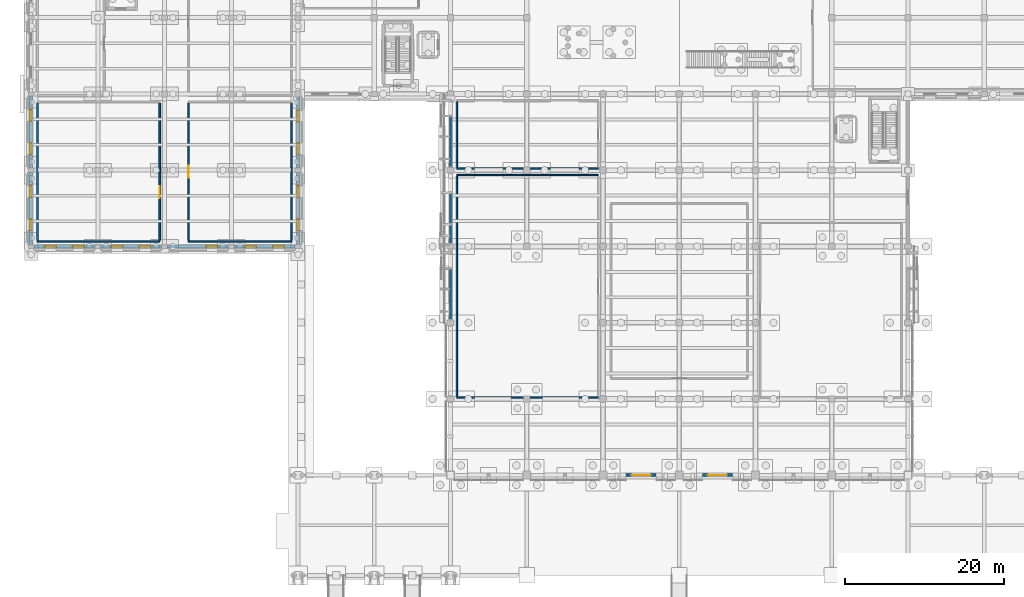
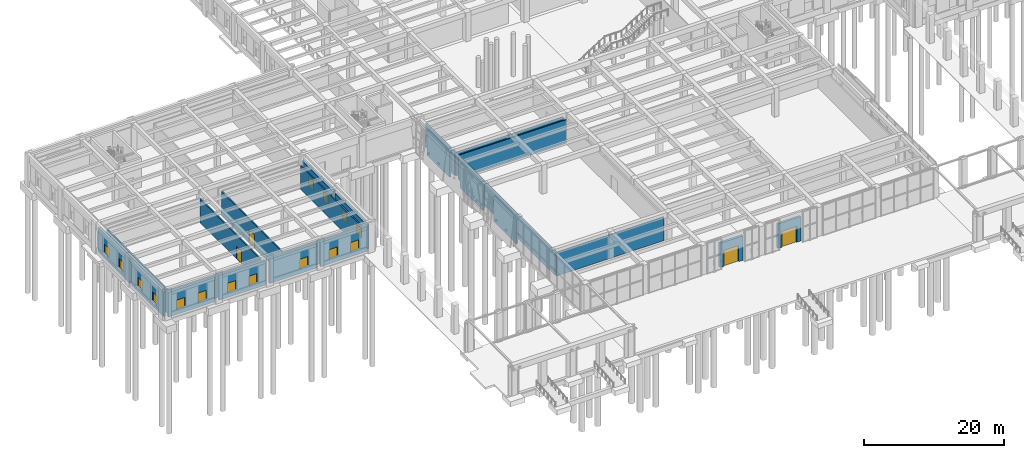
# One storey, part 30 of 51: 24 walls, 15 windows, 4 doors, 19 openings.
"""IFC4 building model written with IfcOpenShell, lengths in metres."""

from ifc_helpers import new_model, si_unit, direction, frame, frame_2d, origin, place, context, subcontext, project, spatial, rectangle, extrude, material, layer, layer_set, type_object, element, fill, save


model = new_model("IFC4")

# Units and contexts
model_context = context("Model", 3, precision=1e-05, world=origin(), true_north=direction((0.0, 1.0)))
body_context = subcontext(model_context, "Body", "Model", "MODEL_VIEW")
ifc_project = project(units=[si_unit("LENGTHUNIT", "METRE"), si_unit("AREAUNIT", "SQUARE_METRE"), si_unit("VOLUMEUNIT", "CUBIC_METRE"), si_unit("PLANEANGLEUNIT", "RADIAN"), si_unit("MASSUNIT", "GRAM", prefix="KILO")], contexts=[model_context])

# Site, building, storey
site_placement = place(None, origin())
site = spatial("IfcSite", under=ifc_project, at=site_placement, CompositionType="ELEMENT")
building_placement = place(site_placement, origin())
building = spatial("IfcBuilding", under=site, at=building_placement, Name="Bempovik Park Faculty of Sciences", CompositionType="ELEMENT")
storey_placement = place(building_placement, origin())
storey = spatial("IfcBuildingStorey", under=building, at=storey_placement, Name="L00", CompositionType="ELEMENT", Elevation=0.0)

# Walls
ifc_material_1 = material(Name="Precast concrete C40/50", Category="concrete")
ifc_layer_1 = layer(ifc_material_1, 0.280029296875)
ifc_layer_set_1 = layer_set([ifc_layer_1], Name="Precast concrete C40/50")
wall_type_1 = type_object("IfcWallType", Name="W-25 Wall 280mm", PredefinedType="SOLIDWALL", material=ifc_layer_set_1)
for number, where, z_axis, x_axis, name in (
    (1, (60.0, 39.326904296875, 0.0), (0.0, 0.0, 1.0), (0.0, 1.0, 0.0), "L00 Crystal Backup Wall EW-CRYS-L00-6289"),
    (2, (60.0, 48.927001953125, 0.0), (0.0, 0.0, 1.0), (0.0, 1.0, 0.0), "L00 Crystal Backup Wall EW-CRYS-L00-6314"),
):
    element("IfcWall", number, at=place(storey_placement, frame(where, z_axis=z_axis, x_axis=x_axis)), inside=storey, type_object=wall_type_1, Name=name, PredefinedType="SOLIDWALL", context=body_context, shape_type="SweptSolid", body=[
        extrude(rectangle(XDim=6.5419921875, YDim=0.280029296875, at=frame_2d((3.27099609375, 0.0))), origin(), (0.0, 0.0, 1.0), 4.280029296875),
    ])
wall_1_placement = place(storey_placement, frame((60.0, 58.527099609375, 0.0), z_axis=(0.0, 0.0, 1.0), x_axis=(0.0, 1.0, 0.0)))
element("IfcWall", 3, at=wall_1_placement, inside=storey, type_object=wall_type_1, Name="L00 Crystal Backup Wall EW-CRYS-L00-6339", PredefinedType="SOLIDWALL", context=body_context, shape_type="SweptSolid", body=[
    extrude(rectangle(XDim=6.466796875, YDim=0.280029296875, at=frame_2d((3.2333984375, 0.0))), origin(), (0.0, 0.0, 1.0), 4.280029296875),
])

# Wall, openings, windows
ifc_layer_2 = layer(ifc_material_1, 0.3798828125)
ifc_layer_set_2 = layer_set([ifc_layer_2], Name="Precast concrete C40/50")
wall_type_2 = type_object("IfcWallType", Name="W-27 Wall 380mm", PredefinedType="SOLIDWALL", material=ifc_layer_set_2)
wall_2_placement = place(storey_placement, frame((40.800048828125, 48.8720703125, 0.0), z_axis=(0.0, 0.0, 1.0), x_axis=(0.0, 1.0, 0.0)))
wall_2 = element("IfcWall", 4, at=wall_2_placement, inside=storey, type_object=wall_type_2, Name="L00 Classical Precast Facade Wall EW-L00-5666", PredefinedType="SOLIDWALL", context=body_context, shape_type="SweptSolid", body=[
    extrude(rectangle(XDim=9.055908203125, YDim=0.3798828125, at=frame_2d((4.52783203125, 0.0))), origin(), (0.0, 0.0, 1.0), 4.280029296875),
])
opening_1_placement = place(wall_2_placement, frame((1.7451171875, 0.0, 0.85009765625)))
opening_1 = element("IfcOpeningElement", 5, at=opening_1_placement, cuts=wall_2, Name="Opening WN-84", PredefinedType="OPENING", context=body_context, shape_type="SweptSolid", body=[
    extrude(rectangle(XDim=1.39990234375, YDim=1.64990234375, at=frame_2d((0.699951171875, 0.824951171875))), frame((0.0, 0.199951171875, 0.0), z_axis=(0.0, -1.0, 0.0), x_axis=(1.0, 0.0, 0.0)), (0.0, 0.0, 1.0), 0.39990234375),
])
opening_2_placement = place(wall_2_placement, frame((5.910888671875, 0.0, 0.85009765625)))
opening_2 = element("IfcOpeningElement", 6, at=opening_2_placement, cuts=wall_2, Name="Opening WN-84", PredefinedType="OPENING", context=body_context, shape_type="SweptSolid", body=[
    extrude(rectangle(XDim=1.39990234375, YDim=1.64990234375, at=frame_2d((0.699951171875, 0.824951171875))), frame((0.0, 0.199951171875, 0.0), z_axis=(0.0, -1.0, 0.0), x_axis=(1.0, 0.0, 0.0)), (0.0, 0.0, 1.0), 0.39990234375),
])
ifc_material_2 = material(Name="Tempered laminated low-E glass", Category="glass")
window_type = type_object("IfcWindowType", Name="WN-84 Window 1400x1650", PartitioningType="SINGLE_PANEL", PredefinedType="WINDOW", material=ifc_material_2)
window_1_placement = place(opening_1_placement, origin())
window_1 = element("IfcWindow", 7, at=window_1_placement, inside=storey, type_object=window_type, Name="L00 Window EW-L00-5666-1", OverallHeight=1.64990234375, OverallWidth=1.39990234375, PartitioningType="SINGLE_PANEL", PredefinedType="WINDOW", context=body_context, shape_type="SweptSolid", body=[
    extrude(rectangle(XDim=1.39990234375, YDim=1.64990234375, at=frame_2d((0.699951171875, 0.824951171875))), frame((0.0, 0.030029296875, 0.0), z_axis=(0.0, -1.0, 0.0), x_axis=(1.0, 0.0, 0.0)), (0.0, 0.0, 1.0), 0.06005859375),
])
fill(opening_1, window_1)
window_2_placement = place(opening_2_placement, origin())
window_2 = element("IfcWindow", 8, at=window_2_placement, inside=storey, type_object=window_type, Name="L00 Window EW-L00-5666-2", OverallHeight=1.64990234375, OverallWidth=1.39990234375, PartitioningType="SINGLE_PANEL", PredefinedType="WINDOW", context=body_context, shape_type="SweptSolid", body=[
    extrude(rectangle(XDim=1.39990234375, YDim=1.64990234375, at=frame_2d((0.699951171875, 0.824951171875))), frame((0.0, 0.030029296875, 0.0), z_axis=(0.0, -1.0, 0.0), x_axis=(1.0, 0.0, 0.0)), (0.0, 0.0, 1.0), 0.06005859375),
])
fill(opening_2, window_2)

wall_3_placement = place(storey_placement, frame((40.800048828125, 58.471923828125, 0.0), z_axis=(0.0, 0.0, 1.0), x_axis=(0.0, 1.0, 0.0)))
wall_3 = element("IfcWall", 9, at=wall_3_placement, inside=storey, type_object=wall_type_2, Name="L00 Classical Precast Facade Wall EW-L00-5677", PredefinedType="SOLIDWALL", context=body_context, shape_type="SweptSolid", body=[
    extrude(rectangle(XDim=8.966064453125, YDim=0.3798828125, at=frame_2d((4.48291015625, 0.0))), origin(), (0.0, 0.0, 1.0), 4.280029296875),
])
opening_3_placement = place(wall_3_placement, frame((1.720703125, 0.0, 0.85009765625)))
opening_3 = element("IfcOpeningElement", 10, at=opening_3_placement, cuts=wall_3, Name="Opening WN-84", PredefinedType="OPENING", context=body_context, shape_type="SweptSolid", body=[
    extrude(rectangle(XDim=1.39990234375, YDim=1.64990234375, at=frame_2d((0.699951171875, 0.824951171875))), frame((0.0, 0.199951171875, 0.0), z_axis=(0.0, -1.0, 0.0), x_axis=(1.0, 0.0, 0.0)), (0.0, 0.0, 1.0), 0.39990234375),
])
opening_4_placement = place(wall_3_placement, frame((5.84521484375, 0.0, 0.85009765625)))
opening_4 = element("IfcOpeningElement", 11, at=opening_4_placement, cuts=wall_3, Name="Opening WN-84", PredefinedType="OPENING", context=body_context, shape_type="SweptSolid", body=[
    extrude(rectangle(XDim=1.39990234375, YDim=1.64990234375, at=frame_2d((0.699951171875, 0.824951171875))), frame((0.0, 0.199951171875, 0.0), z_axis=(0.0, -1.0, 0.0), x_axis=(1.0, 0.0, 0.0)), (0.0, 0.0, 1.0), 0.39990234375),
])
window_3_placement = place(opening_3_placement, origin())
window_3 = element("IfcWindow", 12, at=window_3_placement, inside=storey, type_object=window_type, Name="L00 Window EW-L00-5677-1", OverallHeight=1.64990234375, OverallWidth=1.39990234375, PartitioningType="SINGLE_PANEL", PredefinedType="WINDOW", context=body_context, shape_type="SweptSolid", body=[
    extrude(rectangle(XDim=1.39990234375, YDim=1.64990234375, at=frame_2d((0.699951171875, 0.824951171875))), frame((0.0, 0.030029296875, 0.0), z_axis=(0.0, -1.0, 0.0), x_axis=(1.0, 0.0, 0.0)), (0.0, 0.0, 1.0), 0.06005859375),
])
fill(opening_3, window_3)
window_4_placement = place(opening_4_placement, origin())
window_4 = element("IfcWindow", 13, at=window_4_placement, inside=storey, type_object=window_type, Name="L00 Window EW-L00-5677-2", OverallHeight=1.64990234375, OverallWidth=1.39990234375, PartitioningType="SINGLE_PANEL", PredefinedType="WINDOW", context=body_context, shape_type="SweptSolid", body=[
    extrude(rectangle(XDim=1.39990234375, YDim=1.64990234375, at=frame_2d((0.699951171875, 0.824951171875))), frame((0.0, 0.030029296875, 0.0), z_axis=(0.0, -1.0, 0.0), x_axis=(1.0, 0.0, 0.0)), (0.0, 0.0, 1.0), 0.06005859375),
])
fill(opening_4, window_4)

wall_4_placement = place(storey_placement, frame((7.56201171875, 48.60009765625, 0.0), z_axis=(0.0, 0.0, 1.0), x_axis=(1.0, 0.0, 0.0)))
wall_4 = element("IfcWall", 14, at=wall_4_placement, inside=storey, type_object=wall_type_2, Name="L00 Classical Precast Facade Wall EW-L00-5687", PredefinedType="SOLIDWALL", context=body_context, shape_type="SweptSolid", body=[
    extrude(rectangle(XDim=7.676025390625, YDim=0.3798828125, at=frame_2d((3.837890625, 0.0))), origin(), (0.0, 0.0, 1.0), 4.280029296875),
])
opening_5_placement = place(wall_4_placement, frame((1.37255859375, 0.0, 0.85009765625)))
opening_5 = element("IfcOpeningElement", 15, at=opening_5_placement, cuts=wall_4, Name="Opening WN-84", PredefinedType="OPENING", context=body_context, shape_type="SweptSolid", body=[
    extrude(rectangle(XDim=1.39990234375, YDim=1.64990234375, at=frame_2d((0.699951171875, 0.824951171875))), frame((0.0, 0.199951171875, 0.0), z_axis=(0.0, -1.0, 0.0), x_axis=(1.0, 0.0, 0.0)), (0.0, 0.0, 1.0), 0.39990234375),
])
opening_6_placement = place(wall_4_placement, frame((4.903564453125, 0.0, 0.85009765625)))
opening_6 = element("IfcOpeningElement", 16, at=opening_6_placement, cuts=wall_4, Name="Opening WN-84", PredefinedType="OPENING", context=body_context, shape_type="SweptSolid", body=[
    extrude(rectangle(XDim=1.39990234375, YDim=1.64990234375, at=frame_2d((0.699951171875, 0.824951171875))), frame((0.0, 0.199951171875, 0.0), z_axis=(0.0, -1.0, 0.0), x_axis=(1.0, 0.0, 0.0)), (0.0, 0.0, 1.0), 0.39990234375),
])
window_5_placement = place(opening_5_placement, origin())
window_5 = element("IfcWindow", 17, at=window_5_placement, inside=storey, type_object=window_type, Name="L00 Window EW-L00-5687-1", OverallHeight=1.64990234375, OverallWidth=1.39990234375, PartitioningType="SINGLE_PANEL", PredefinedType="WINDOW", context=body_context, shape_type="SweptSolid", body=[
    extrude(rectangle(XDim=1.39990234375, YDim=1.64990234375, at=frame_2d((0.699951171875, 0.824951171875))), frame((0.0, 0.030029296875, 0.0), z_axis=(0.0, -1.0, 0.0), x_axis=(1.0, 0.0, 0.0)), (0.0, 0.0, 1.0), 0.06005859375),
])
fill(opening_5, window_5)
window_6_placement = place(opening_6_placement, origin())
window_6 = element("IfcWindow", 18, at=window_6_placement, inside=storey, type_object=window_type, Name="L00 Window EW-L00-5687-2", OverallHeight=1.64990234375, OverallWidth=1.39990234375, PartitioningType="SINGLE_PANEL", PredefinedType="WINDOW", context=body_context, shape_type="SweptSolid", body=[
    extrude(rectangle(XDim=1.39990234375, YDim=1.64990234375, at=frame_2d((0.699951171875, 0.824951171875))), frame((0.0, 0.030029296875, 0.0), z_axis=(0.0, -1.0, 0.0), x_axis=(1.0, 0.0, 0.0)), (0.0, 0.0, 1.0), 0.06005859375),
])
fill(opening_6, window_6)

wall_5_placement = place(storey_placement, frame((15.9619140625, 48.60009765625, 0.0), z_axis=(0.0, 0.0, 1.0), x_axis=(1.0, 0.0, 0.0)))
wall_5 = element("IfcWall", 19, at=wall_5_placement, inside=storey, type_object=wall_type_2, Name="L00 Classical Precast Facade Wall EW-L00-5698", PredefinedType="SOLIDWALL", context=body_context, shape_type="SweptSolid", body=[
    extrude(rectangle(XDim=7.676025390625, YDim=0.3798828125, at=frame_2d((3.837890625, 0.0))), origin(), (0.0, 0.0, 1.0), 4.280029296875),
])
opening_7_placement = place(wall_5_placement, frame((1.37255859375, 0.0, 0.85009765625)))
opening_7 = element("IfcOpeningElement", 20, at=opening_7_placement, cuts=wall_5, Name="Opening WN-84", PredefinedType="OPENING", context=body_context, shape_type="SweptSolid", body=[
    extrude(rectangle(XDim=1.39990234375, YDim=1.64990234375, at=frame_2d((0.699951171875, 0.824951171875))), frame((0.0, 0.199951171875, 0.0), z_axis=(0.0, -1.0, 0.0), x_axis=(1.0, 0.0, 0.0)), (0.0, 0.0, 1.0), 0.39990234375),
])
opening_8_placement = place(wall_5_placement, frame((4.903564453125, 0.0, 0.85009765625)))
opening_8 = element("IfcOpeningElement", 21, at=opening_8_placement, cuts=wall_5, Name="Opening WN-84", PredefinedType="OPENING", context=body_context, shape_type="SweptSolid", body=[
    extrude(rectangle(XDim=1.39990234375, YDim=1.64990234375, at=frame_2d((0.699951171875, 0.824951171875))), frame((0.0, 0.199951171875, 0.0), z_axis=(0.0, -1.0, 0.0), x_axis=(1.0, 0.0, 0.0)), (0.0, 0.0, 1.0), 0.39990234375),
])
window_7_placement = place(opening_7_placement, origin())
window_7 = element("IfcWindow", 22, at=window_7_placement, inside=storey, type_object=window_type, Name="L00 Window EW-L00-5698-1", OverallHeight=1.64990234375, OverallWidth=1.39990234375, PartitioningType="SINGLE_PANEL", PredefinedType="WINDOW", context=body_context, shape_type="SweptSolid", body=[
    extrude(rectangle(XDim=1.39990234375, YDim=1.64990234375, at=frame_2d((0.699951171875, 0.824951171875))), frame((0.0, 0.030029296875, 0.0), z_axis=(0.0, -1.0, 0.0), x_axis=(1.0, 0.0, 0.0)), (0.0, 0.0, 1.0), 0.06005859375),
])
fill(opening_7, window_7)
window_8_placement = place(opening_8_placement, origin())
window_8 = element("IfcWindow", 23, at=window_8_placement, inside=storey, type_object=window_type, Name="L00 Window EW-L00-5698-2", OverallHeight=1.64990234375, OverallWidth=1.39990234375, PartitioningType="SINGLE_PANEL", PredefinedType="WINDOW", context=body_context, shape_type="SweptSolid", body=[
    extrude(rectangle(XDim=1.39990234375, YDim=1.64990234375, at=frame_2d((0.699951171875, 0.824951171875))), frame((0.0, 0.030029296875, 0.0), z_axis=(0.0, -1.0, 0.0), x_axis=(1.0, 0.0, 0.0)), (0.0, 0.0, 1.0), 0.06005859375),
])
fill(opening_8, window_8)

# Wall, opening, window
wall_6_placement = place(storey_placement, frame((24.362060546875, 48.60009765625, 0.0), z_axis=(0.0, 0.0, 1.0), x_axis=(1.0, 0.0, 0.0)))
wall_6 = element("IfcWall", 24, at=wall_6_placement, inside=storey, type_object=wall_type_2, Name="L00 Classical Precast Facade Wall EW-L00-5708", PredefinedType="SOLIDWALL", context=body_context, shape_type="SweptSolid", body=[
    extrude(rectangle(XDim=7.676025390625, YDim=0.3798828125, at=frame_2d((3.837890625, 0.0))), origin(), (0.0, 0.0, 1.0), 4.280029296875),
])
opening_9_placement = place(wall_6_placement, frame((4.903564453125, 0.0, 0.85009765625)))
opening_9 = element("IfcOpeningElement", 25, at=opening_9_placement, cuts=wall_6, Name="Opening WN-84", PredefinedType="OPENING", context=body_context, shape_type="SweptSolid", body=[
    extrude(rectangle(XDim=1.39990234375, YDim=1.64990234375, at=frame_2d((0.699951171875, 0.824951171875))), frame((0.0, 0.199951171875, 0.0), z_axis=(0.0, -1.0, 0.0), x_axis=(1.0, 0.0, 0.0)), (0.0, 0.0, 1.0), 0.39990234375),
])
window_9_placement = place(opening_9_placement, origin())
window_9 = element("IfcWindow", 26, at=window_9_placement, inside=storey, type_object=window_type, Name="L00 Window EW-L00-5708-2", OverallHeight=1.64990234375, OverallWidth=1.39990234375, PartitioningType="SINGLE_PANEL", PredefinedType="WINDOW", context=body_context, shape_type="SweptSolid", body=[
    extrude(rectangle(XDim=1.39990234375, YDim=1.64990234375, at=frame_2d((0.699951171875, 0.824951171875))), frame((0.0, 0.030029296875, 0.0), z_axis=(0.0, -1.0, 0.0), x_axis=(1.0, 0.0, 0.0)), (0.0, 0.0, 1.0), 0.06005859375),
])
fill(opening_9, window_9)

# Wall, openings, windows
wall_7_placement = place(storey_placement, frame((32.761962890625, 48.60009765625, 0.0), z_axis=(0.0, 0.0, 1.0), x_axis=(1.0, 0.0, 0.0)))
wall_7 = element("IfcWall", 27, at=wall_7_placement, inside=storey, type_object=wall_type_2, Name="L00 Classical Precast Facade Wall EW-L00-5716", PredefinedType="SOLIDWALL", context=body_context, shape_type="SweptSolid", body=[
    extrude(rectangle(XDim=7.676025390625, YDim=0.3798828125, at=frame_2d((3.837890625, 0.0))), origin(), (0.0, 0.0, 1.0), 4.280029296875),
])
opening_10_placement = place(wall_7_placement, frame((1.37255859375, 0.0, 0.85009765625)))
opening_10 = element("IfcOpeningElement", 28, at=opening_10_placement, cuts=wall_7, Name="Opening WN-84", PredefinedType="OPENING", context=body_context, shape_type="SweptSolid", body=[
    extrude(rectangle(XDim=1.39990234375, YDim=1.64990234375, at=frame_2d((0.699951171875, 0.824951171875))), frame((0.0, 0.199951171875, 0.0), z_axis=(0.0, -1.0, 0.0), x_axis=(1.0, 0.0, 0.0)), (0.0, 0.0, 1.0), 0.39990234375),
])
opening_11_placement = place(wall_7_placement, frame((4.903564453125, 0.0, 0.85009765625)))
opening_11 = element("IfcOpeningElement", 29, at=opening_11_placement, cuts=wall_7, Name="Opening WN-84", PredefinedType="OPENING", context=body_context, shape_type="SweptSolid", body=[
    extrude(rectangle(XDim=1.39990234375, YDim=1.64990234375, at=frame_2d((0.699951171875, 0.824951171875))), frame((0.0, 0.199951171875, 0.0), z_axis=(0.0, -1.0, 0.0), x_axis=(1.0, 0.0, 0.0)), (0.0, 0.0, 1.0), 0.39990234375),
])
window_10_placement = place(opening_10_placement, origin())
window_10 = element("IfcWindow", 30, at=window_10_placement, inside=storey, type_object=window_type, Name="L00 Window EW-L00-5716-1", OverallHeight=1.64990234375, OverallWidth=1.39990234375, PartitioningType="SINGLE_PANEL", PredefinedType="WINDOW", context=body_context, shape_type="SweptSolid", body=[
    extrude(rectangle(XDim=1.39990234375, YDim=1.64990234375, at=frame_2d((0.699951171875, 0.824951171875))), frame((0.0, 0.030029296875, 0.0), z_axis=(0.0, -1.0, 0.0), x_axis=(1.0, 0.0, 0.0)), (0.0, 0.0, 1.0), 0.06005859375),
])
fill(opening_10, window_10)
window_11_placement = place(opening_11_placement, origin())
window_11 = element("IfcWindow", 31, at=window_11_placement, inside=storey, type_object=window_type, Name="L00 Window EW-L00-5716-2", OverallHeight=1.64990234375, OverallWidth=1.39990234375, PartitioningType="SINGLE_PANEL", PredefinedType="WINDOW", context=body_context, shape_type="SweptSolid", body=[
    extrude(rectangle(XDim=1.39990234375, YDim=1.64990234375, at=frame_2d((0.699951171875, 0.824951171875))), frame((0.0, 0.030029296875, 0.0), z_axis=(0.0, -1.0, 0.0), x_axis=(1.0, 0.0, 0.0)), (0.0, 0.0, 1.0), 0.06005859375),
])
fill(opening_11, window_11)

wall_8_placement = place(storey_placement, frame((7.199951171875, 48.8720703125, 0.0), z_axis=(0.0, 0.0, 1.0), x_axis=(0.0, 1.0, 0.0)))
wall_8 = element("IfcWall", 32, at=wall_8_placement, inside=storey, type_object=wall_type_2, Name="L00 Classical Precast Facade Wall EW-L00-5726", PredefinedType="SOLIDWALL", context=body_context, shape_type="SweptSolid", body=[
    extrude(rectangle(XDim=9.055908203125, YDim=0.3798828125, at=frame_2d((4.52783203125, 0.0))), origin(), (0.0, 0.0, 1.0), 4.280029296875),
])
opening_12_placement = place(wall_8_placement, frame((1.7451171875, 0.0, 0.85009765625)))
opening_12 = element("IfcOpeningElement", 33, at=opening_12_placement, cuts=wall_8, Name="Opening WN-84", PredefinedType="OPENING", context=body_context, shape_type="SweptSolid", body=[
    extrude(rectangle(XDim=1.39990234375, YDim=1.64990234375, at=frame_2d((0.699951171875, 0.824951171875))), frame((0.0, 0.199951171875, 0.0), z_axis=(0.0, -1.0, 0.0), x_axis=(1.0, 0.0, 0.0)), (0.0, 0.0, 1.0), 0.39990234375),
])
opening_13_placement = place(wall_8_placement, frame((5.910888671875, 0.0, 0.85009765625)))
opening_13 = element("IfcOpeningElement", 34, at=opening_13_placement, cuts=wall_8, Name="Opening WN-84", PredefinedType="OPENING", context=body_context, shape_type="SweptSolid", body=[
    extrude(rectangle(XDim=1.39990234375, YDim=1.64990234375, at=frame_2d((0.699951171875, 0.824951171875))), frame((0.0, 0.199951171875, 0.0), z_axis=(0.0, -1.0, 0.0), x_axis=(1.0, 0.0, 0.0)), (0.0, 0.0, 1.0), 0.39990234375),
])
window_12_placement = place(opening_12_placement, origin())
window_12 = element("IfcWindow", 35, at=window_12_placement, inside=storey, type_object=window_type, Name="L00 Window EW-L00-5726-1", OverallHeight=1.64990234375, OverallWidth=1.39990234375, PartitioningType="SINGLE_PANEL", PredefinedType="WINDOW", context=body_context, shape_type="SweptSolid", body=[
    extrude(rectangle(XDim=1.39990234375, YDim=1.64990234375, at=frame_2d((0.699951171875, 0.824951171875))), frame((0.0, 0.030029296875, 0.0), z_axis=(0.0, -1.0, 0.0), x_axis=(1.0, 0.0, 0.0)), (0.0, 0.0, 1.0), 0.06005859375),
])
fill(opening_12, window_12)
window_13_placement = place(opening_13_placement, origin())
window_13 = element("IfcWindow", 36, at=window_13_placement, inside=storey, type_object=window_type, Name="L00 Window EW-L00-5726-2", OverallHeight=1.64990234375, OverallWidth=1.39990234375, PartitioningType="SINGLE_PANEL", PredefinedType="WINDOW", context=body_context, shape_type="SweptSolid", body=[
    extrude(rectangle(XDim=1.39990234375, YDim=1.64990234375, at=frame_2d((0.699951171875, 0.824951171875))), frame((0.0, 0.030029296875, 0.0), z_axis=(0.0, -1.0, 0.0), x_axis=(1.0, 0.0, 0.0)), (0.0, 0.0, 1.0), 0.06005859375),
])
fill(opening_13, window_13)

wall_9_placement = place(storey_placement, frame((7.199951171875, 58.471923828125, 0.0), z_axis=(0.0, 0.0, 1.0), x_axis=(0.0, 1.0, 0.0)))
wall_9 = element("IfcWall", 37, at=wall_9_placement, inside=storey, type_object=wall_type_2, Name="L00 Classical Precast Facade Wall EW-L00-5737", PredefinedType="SOLIDWALL", context=body_context, shape_type="SweptSolid", body=[
    extrude(rectangle(XDim=9.05615234375, YDim=0.3798828125, at=frame_2d((4.528076171875, 0.0))), origin(), (0.0, 0.0, 1.0), 4.280029296875),
])
opening_14_placement = place(wall_9_placement, frame((1.7451171875, 0.0, 0.85009765625)))
opening_14 = element("IfcOpeningElement", 38, at=opening_14_placement, cuts=wall_9, Name="Opening WN-84", PredefinedType="OPENING", context=body_context, shape_type="SweptSolid", body=[
    extrude(rectangle(XDim=1.39990234375, YDim=1.64990234375, at=frame_2d((0.699951171875, 0.824951171875))), frame((0.0, 0.199951171875, 0.0), z_axis=(0.0, -1.0, 0.0), x_axis=(1.0, 0.0, 0.0)), (0.0, 0.0, 1.0), 0.39990234375),
])
opening_15_placement = place(wall_9_placement, frame((5.910888671875, 0.0, 0.85009765625)))
opening_15 = element("IfcOpeningElement", 39, at=opening_15_placement, cuts=wall_9, Name="Opening WN-84", PredefinedType="OPENING", context=body_context, shape_type="SweptSolid", body=[
    extrude(rectangle(XDim=1.39990234375, YDim=1.64990234375, at=frame_2d((0.699951171875, 0.824951171875))), frame((0.0, 0.199951171875, 0.0), z_axis=(0.0, -1.0, 0.0), x_axis=(1.0, 0.0, 0.0)), (0.0, 0.0, 1.0), 0.39990234375),
])
window_14_placement = place(opening_14_placement, origin())
window_14 = element("IfcWindow", 40, at=window_14_placement, inside=storey, type_object=window_type, Name="L00 Window EW-L00-5737-1", OverallHeight=1.64990234375, OverallWidth=1.39990234375, PartitioningType="SINGLE_PANEL", PredefinedType="WINDOW", context=body_context, shape_type="SweptSolid", body=[
    extrude(rectangle(XDim=1.39990234375, YDim=1.64990234375, at=frame_2d((0.699951171875, 0.824951171875))), frame((0.0, 0.030029296875, 0.0), z_axis=(0.0, -1.0, 0.0), x_axis=(1.0, 0.0, 0.0)), (0.0, 0.0, 1.0), 0.06005859375),
])
fill(opening_14, window_14)
window_15_placement = place(opening_15_placement, origin())
window_15 = element("IfcWindow", 41, at=window_15_placement, inside=storey, type_object=window_type, Name="L00 Window EW-L00-5737-2", OverallHeight=1.64990234375, OverallWidth=1.39990234375, PartitioningType="SINGLE_PANEL", PredefinedType="WINDOW", context=body_context, shape_type="SweptSolid", body=[
    extrude(rectangle(XDim=1.39990234375, YDim=1.64990234375, at=frame_2d((0.699951171875, 0.824951171875))), frame((0.0, 0.030029296875, 0.0), z_axis=(0.0, -1.0, 0.0), x_axis=(1.0, 0.0, 0.0)), (0.0, 0.0, 1.0), 0.06005859375),
])
fill(opening_15, window_15)

# Wall, opening, door
wall_10_placement = place(storey_placement, frame((82.10009765625, 19.800048828125, 0.0), z_axis=(0.0, 0.0, 1.0), x_axis=(1.0, 0.0, 0.0)))
wall_10 = element("IfcWall", 42, at=wall_10_placement, inside=storey, type_object=wall_type_2, Name="Grand Entrance Portal Wall EW-L00-6165", PredefinedType="SOLIDWALL", context=body_context, shape_type="SweptSolid", body=[
    extrude(rectangle(XDim=3.7998046875, YDim=0.3798828125, at=frame_2d((1.89990234375, 0.0))), origin(), (0.0, 0.0, 1.0), 4.280029296875),
])
opening_16_placement = place(wall_10_placement, frame((0.699951171875, 0.0, 0.0)))
opening_16 = element("IfcOpeningElement", 43, at=opening_16_placement, cuts=wall_10, Name="Opening D-13", PredefinedType="OPENING", context=body_context, shape_type="SweptSolid", body=[
    extrude(rectangle(XDim=2.39990234375, YDim=2.800048828125, at=frame_2d((1.199951171875, 1.39990234375))), frame((0.0, 0.199951171875, 0.0), z_axis=(0.0, -1.0, 0.0), x_axis=(1.0, 0.0, 0.0)), (0.0, 0.0, 1.0), 0.39990234375),
])
ifc_material_3 = material(Name="Anodised architectural bronze")
door_type_1 = type_object("IfcDoorType", Name="D-13 Door 2400x2800", OperationType="NOTDEFINED", PredefinedType="DOOR", material=ifc_material_3)
door_1_placement = place(opening_16_placement, frame((2.39990234375, 0.0, 0.0), z_axis=(0.0, 0.0, 1.0), x_axis=(-1.0, 0.0, 0.0)))
door_1 = element("IfcDoor", 44, at=door_1_placement, inside=storey, type_object=door_type_1, Name="Grand Park Entrance Door West", OperationType="DOUBLE_DOOR_SINGLE_SWING", OverallHeight=2.800048828125, OverallWidth=2.39990234375, PredefinedType="DOOR", context=body_context, shape_type="SweptSolid", body=[
    extrude(rectangle(XDim=2.39990234375, YDim=2.800048828125, at=frame_2d((1.199951171875, 1.39990234375))), frame((0.0, 0.02490234375, 0.0), z_axis=(0.0, -1.0, 0.0), x_axis=(1.0, 0.0, 0.0)), (0.0, 0.0, 1.0), 0.050048828125),
])
fill(opening_16, door_1)

wall_11_placement = place(storey_placement, frame((91.699951171875, 19.800048828125, 0.0), z_axis=(0.0, 0.0, 1.0), x_axis=(1.0, 0.0, 0.0)))
wall_11 = element("IfcWall", 45, at=wall_11_placement, inside=storey, type_object=wall_type_2, Name="Grand Entrance Portal Wall EW-L00-6191", PredefinedType="SOLIDWALL", context=body_context, shape_type="SweptSolid", body=[
    extrude(rectangle(XDim=3.800048828125, YDim=0.3798828125, at=frame_2d((1.89990234375, 0.0))), origin(), (0.0, 0.0, 1.0), 4.280029296875),
])
opening_17_placement = place(wall_11_placement, frame((0.699951171875, 0.0, 0.0)))
opening_17 = element("IfcOpeningElement", 46, at=opening_17_placement, cuts=wall_11, Name="Opening D-13", PredefinedType="OPENING", context=body_context, shape_type="SweptSolid", body=[
    extrude(rectangle(XDim=2.39990234375, YDim=2.800048828125, at=frame_2d((1.199951171875, 1.39990234375))), frame((0.0, 0.199951171875, 0.0), z_axis=(0.0, -1.0, 0.0), x_axis=(1.0, 0.0, 0.0)), (0.0, 0.0, 1.0), 0.39990234375),
])
door_2_placement = place(opening_17_placement, frame((2.39990234375, 0.0, 0.0), z_axis=(0.0, 0.0, 1.0), x_axis=(-1.0, 0.0, 0.0)))
door_2 = element("IfcDoor", 47, at=door_2_placement, inside=storey, type_object=door_type_1, Name="Grand Park Entrance Door East", OperationType="DOUBLE_DOOR_SINGLE_SWING", OverallHeight=2.800048828125, OverallWidth=2.39990234375, PredefinedType="DOOR", context=body_context, shape_type="SweptSolid", body=[
    extrude(rectangle(XDim=2.39990234375, YDim=2.800048828125, at=frame_2d((1.199951171875, 1.39990234375))), frame((0.0, 0.02490234375, 0.0), z_axis=(0.0, -1.0, 0.0), x_axis=(1.0, 0.0, 0.0)), (0.0, 0.0, 1.0), 0.050048828125),
])
fill(opening_17, door_2)

# Walls
ifc_material_4 = material(Name="Concrete C35/45", Category="concrete")
ifc_layer_3 = layer(ifc_material_4, 0.169921875)
ifc_layer_set_3 = layer_set([ifc_layer_3], Name="Concrete C35/45")
wall_type_3 = type_object("IfcWallType", Name="W-50 Wall 170mm", PredefinedType="PARTITIONING", material=ifc_layer_set_3)
wall_12_placement = place(storey_placement, frame((60.800048828125, 58.39990234375, 0.0), z_axis=(0.0, 0.0, 1.0), x_axis=(1.0, 0.0, 0.0)))
element("IfcWall", 48, at=wall_12_placement, inside=storey, type_object=wall_type_3, Name="L00 Lecture Demonstration Preparation Room Partition South", PredefinedType="PARTITIONING", context=body_context, shape_type="SweptSolid", body=[
    extrude(rectangle(XDim=17.800048828125, YDim=0.169921875, at=frame_2d((8.89990234375, 0.0))), origin(), (0.0, 0.0, 1.0), 4.1201171875),
])
wall_13_placement = place(storey_placement, frame((60.800048828125, 58.56005859375, 0.0), z_axis=(0.0, 0.0, 1.0), x_axis=(0.0, 1.0, 0.0)))
element("IfcWall", 49, at=wall_13_placement, inside=storey, type_object=wall_type_3, Name="L00 Lecture Demonstration Preparation Room Partition West", PredefinedType="PARTITIONING", context=body_context, shape_type="SweptSolid", body=[
    extrude(rectangle(XDim=8.280029296875, YDim=0.169921875, at=frame_2d((4.14013671875, 0.0))), origin(), (0.0, 0.0, 1.0), 4.1201171875),
])
ifc_material_5 = material(Name="Gypsum acoustic stud assembly")
ifc_layer_4 = layer(ifc_material_5, 0.179931640625)
ifc_layer_set_4 = layer_set([ifc_layer_4], Name="Gypsum acoustic stud assembly")
wall_type_4 = type_object("IfcWallType", Name="W-53 Wall 180mm", PredefinedType="PARTITIONING", material=ifc_layer_set_4)
for number, where, z_axis, x_axis, name in (
    (50, (60.800048828125, 29.60009765625, 0.0), (0.0, 0.0, 1.0), (1.0, 0.0, 0.0), "L00 West Raked Lecture Theatre Partition South"),
    (51, (60.800048828125, 57.60009765625, 0.0), (0.0, 0.0, 1.0), (1.0, 0.0, 0.0), "L00 West Raked Lecture Theatre Partition North"),
):
    element("IfcWall", number, at=place(storey_placement, frame(where, z_axis=z_axis, x_axis=x_axis)), inside=storey, type_object=wall_type_4, Name=name, PredefinedType="PARTITIONING", context=body_context, shape_type="SweptSolid", body=[
        extrude(rectangle(XDim=17.800048828125, YDim=0.179931640625, at=frame_2d((8.89990234375, 0.0))), origin(), (0.0, 0.0, 1.0), 4.1201171875),
    ])
wall_14_placement = place(storey_placement, frame((60.800048828125, 29.760009765625, 0.0), z_axis=(0.0, 0.0, 1.0), x_axis=(0.0, 1.0, 0.0)))
element("IfcWall", 52, at=wall_14_placement, inside=storey, type_object=wall_type_4, Name="L00 West Raked Lecture Theatre Partition West", PredefinedType="PARTITIONING", context=body_context, shape_type="SweptSolid", body=[
    extrude(rectangle(XDim=27.679931640625, YDim=0.179931640625, at=frame_2d((13.83984375, 0.0))), origin(), (0.0, 0.0, 1.0), 4.1201171875),
])
ifc_layer_5 = layer(ifc_material_4, 0.199951171875)
ifc_layer_set_5 = layer_set([ifc_layer_5], Name="Concrete C35/45")
wall_type_5 = type_object("IfcWallType", Name="W-59 Wall 200mm", PredefinedType="PARTITIONING", material=ifc_layer_set_5)
wall_15_placement = place(storey_placement, frame((8.0, 49.199951171875, 0.0), z_axis=(0.0, 0.0, 1.0), x_axis=(1.0, 0.0, 0.0)))
element("IfcWall", 53, at=wall_15_placement, inside=storey, type_object=wall_type_5, Name="L00 Foundation Chemistry Teaching Laboratory Partition South", PredefinedType="PARTITIONING", context=body_context, shape_type="SweptSolid", body=[
    extrude(rectangle(XDim=15.39990234375, YDim=0.199951171875, at=frame_2d((7.699951171875, 0.0))), origin(), (0.0, 0.0, 1.0), 4.1201171875),
])
wall_16_placement = place(storey_placement, frame((8.0, 49.360107421875, 0.0), z_axis=(0.0, 0.0, 1.0), x_axis=(0.0, 1.0, 0.0)))
element("IfcWall", 54, at=wall_16_placement, inside=storey, type_object=wall_type_5, Name="L00 Foundation Chemistry Teaching Laboratory Partition West", PredefinedType="PARTITIONING", context=body_context, shape_type="SweptSolid", body=[
    extrude(rectangle(XDim=17.27978515625, YDim=0.199951171875, at=frame_2d((8.639892578125, 0.0))), origin(), (0.0, 0.0, 1.0), 4.1201171875),
])

# Wall, opening, door
wall_17_placement = place(storey_placement, frame((23.39990234375, 49.360107421875, 0.0), z_axis=(0.0, 0.0, 1.0), x_axis=(0.0, 1.0, 0.0)))
wall_17 = element("IfcWall", 55, at=wall_17_placement, inside=storey, type_object=wall_type_5, Name="L00 Foundation Chemistry Teaching Laboratory Partition East", PredefinedType="PARTITIONING", context=body_context, shape_type="SweptSolid", body=[
    extrude(rectangle(XDim=17.27978515625, YDim=0.199951171875, at=frame_2d((8.639892578125, 0.0))), origin(), (0.0, 0.0, 1.0), 4.1201171875),
])
opening_18_placement = place(wall_17_placement, frame((5.298095703125, 0.0, 0.0)))
opening_18 = element("IfcOpeningElement", 56, at=opening_18_placement, cuts=wall_17, Name="Opening D-22", PredefinedType="OPENING", context=body_context, shape_type="SweptSolid", body=[
    extrude(rectangle(XDim=1.5, YDim=2.199951171875, at=frame_2d((0.75, 1.10009765625))), frame((0.0, 0.10986328125, 0.0), z_axis=(0.0, -1.0, 0.0), x_axis=(1.0, 0.0, 0.0)), (0.0, 0.0, 1.0), 0.219970703125),
])
ifc_material_6 = material(Name="West African hardwood finish", Category="wood")
door_type_2 = type_object("IfcDoorType", Name="D-22 Door 1500x2200", OperationType="NOTDEFINED", PredefinedType="DOOR", material=ifc_material_6)
door_3_placement = place(opening_18_placement, origin())
door_3 = element("IfcDoor", 57, at=door_3_placement, inside=storey, type_object=door_type_2, Name="L00 Foundation Chemistry Teaching Laboratory Door", OperationType="SINGLE_SWING_RIGHT", OverallHeight=2.199951171875, OverallWidth=1.5, PredefinedType="DOOR", context=body_context, shape_type="SweptSolid", body=[
    extrude(rectangle(XDim=1.5, YDim=2.199951171875, at=frame_2d((0.75, 1.10009765625))), frame((0.0, 0.02490234375, 0.0), z_axis=(0.0, -1.0, 0.0), x_axis=(1.0, 0.0, 0.0)), (0.0, 0.0, 1.0), 0.050048828125),
])
fill(opening_18, door_3)

# Wall
wall_18_placement = place(storey_placement, frame((27.0, 49.199951171875, 0.0), z_axis=(0.0, 0.0, 1.0), x_axis=(1.0, 0.0, 0.0)))
element("IfcWall", 58, at=wall_18_placement, inside=storey, type_object=wall_type_5, Name="L00 Foundation Physics Teaching Laboratory Partition South", PredefinedType="PARTITIONING", context=body_context, shape_type="SweptSolid", body=[
    extrude(rectangle(XDim=13.0, YDim=0.199951171875, at=frame_2d((6.5, 0.0))), origin(), (0.0, 0.0, 1.0), 4.1201171875),
])

# Wall, opening, door
wall_19_placement = place(storey_placement, frame((27.0, 49.360107421875, 0.0), z_axis=(0.0, 0.0, 1.0), x_axis=(0.0, 1.0, 0.0)))
wall_19 = element("IfcWall", 59, at=wall_19_placement, inside=storey, type_object=wall_type_5, Name="L00 Foundation Physics Teaching Laboratory Partition West", PredefinedType="PARTITIONING", context=body_context, shape_type="SweptSolid", body=[
    extrude(rectangle(XDim=17.27978515625, YDim=0.199951171875, at=frame_2d((8.639892578125, 0.0))), origin(), (0.0, 0.0, 1.0), 4.1201171875),
])
opening_19_placement = place(wall_19_placement, frame((7.889892578125, 0.0, 0.0)))
opening_19 = element("IfcOpeningElement", 60, at=opening_19_placement, cuts=wall_19, Name="Opening D-22", PredefinedType="OPENING", context=body_context, shape_type="SweptSolid", body=[
    extrude(rectangle(XDim=1.5, YDim=2.199951171875, at=frame_2d((0.75, 1.10009765625))), frame((0.0, 0.10986328125, 0.0), z_axis=(0.0, -1.0, 0.0), x_axis=(1.0, 0.0, 0.0)), (0.0, 0.0, 1.0), 0.219970703125),
])
door_4_placement = place(opening_19_placement, origin())
door_4 = element("IfcDoor", 61, at=door_4_placement, inside=storey, type_object=door_type_2, Name="L00 Foundation Physics Teaching Laboratory Door", OperationType="SINGLE_SWING_LEFT", OverallHeight=2.199951171875, OverallWidth=1.5, PredefinedType="DOOR", context=body_context, shape_type="SweptSolid", body=[
    extrude(rectangle(XDim=1.5, YDim=2.199951171875, at=frame_2d((0.75, 1.10009765625))), frame((0.0, 0.02490234375, 0.0), z_axis=(0.0, -1.0, 0.0), x_axis=(1.0, 0.0, 0.0)), (0.0, 0.0, 1.0), 0.050048828125),
])
fill(opening_19, door_4)

# Wall
wall_20_placement = place(storey_placement, frame((40.0, 49.360107421875, 0.0), z_axis=(0.0, 0.0, 1.0), x_axis=(0.0, 1.0, 0.0)))
element("IfcWall", 62, at=wall_20_placement, inside=storey, type_object=wall_type_5, Name="L00 Foundation Physics Teaching Laboratory Partition East", PredefinedType="PARTITIONING", context=body_context, shape_type="SweptSolid", body=[
    extrude(rectangle(XDim=17.27978515625, YDim=0.199951171875, at=frame_2d((8.639892578125, 0.0))), origin(), (0.0, 0.0, 1.0), 4.1201171875),
])

save(model, "model.ifc")
